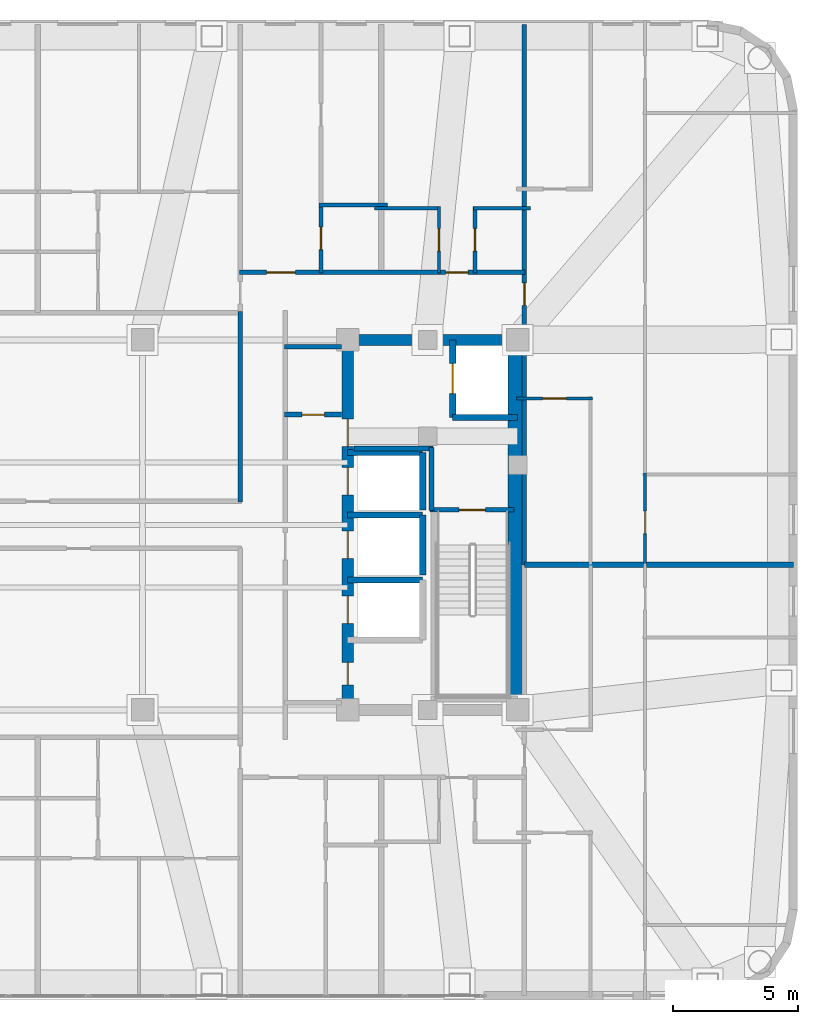
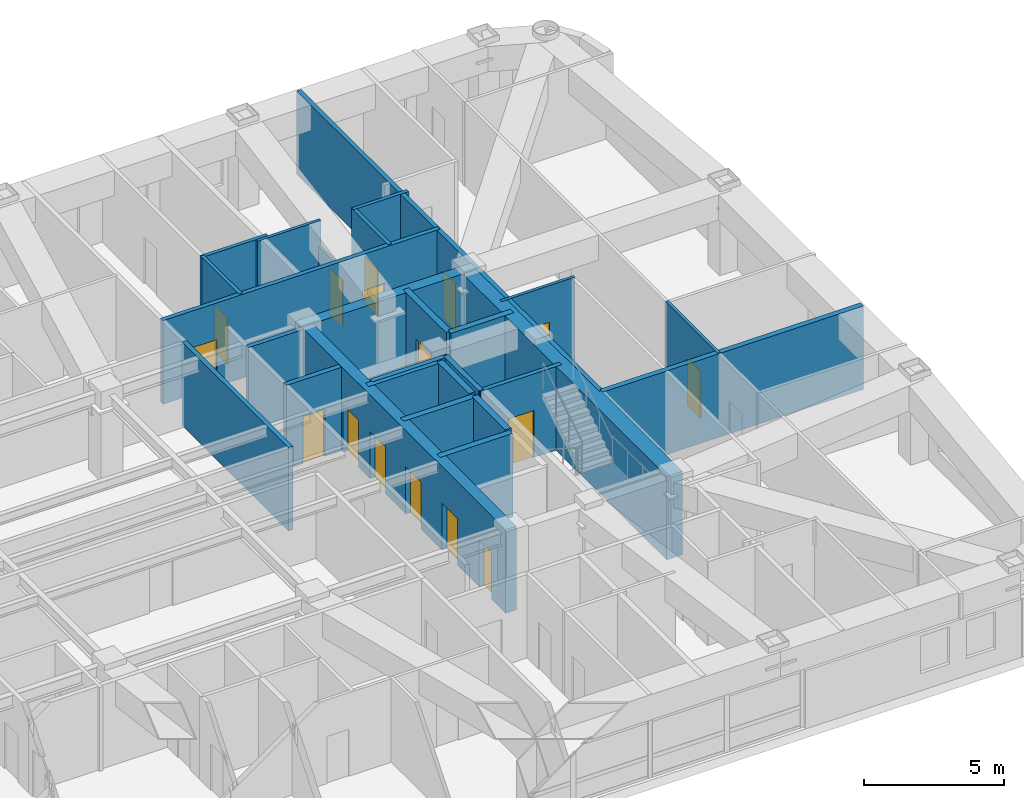
# One storey, part 12 of 16: 27 walls, 16 doors, 16 openings.
"""IFC4 building model written with IfcOpenShell, lengths in metres."""

import ifcopenshell
import ifcopenshell.guid

model = None  # the IFC model being written
_history = None  # IfcOwnerHistory: only IFC2X3 demands one
_inside = {}  # id of a spatial element -> (the spatial element, [elements in it])
_under = {}  # id of a project, library or spatial element -> (it, [spatial elements below it])
_declared = {}  # id of a project -> (the project, [libraries it declares])
_typed = {}  # id of a type object -> (the type object, [elements of that type])
_made_of = {}  # id of a material, layer set ... -> (it, [elements and type objects made of it])


def new_model(schema):
    """Start an empty IFC model of exactly this schema.

    Asked for "IFC4X3", IfcOpenShell would pick the latest addendum, in which some entities
    have other attributes; the version numbers below select the first issue.
    IFC2X3 requires an IfcOwnerHistory on every rooted entity: one is made here for all.
    """
    global model, _history
    if schema == "IFC4X3":
        model = ifcopenshell.file(schema_version=(4, 3, 0, 0))
    else:
        model = ifcopenshell.file(schema=schema)
    _inside.clear()
    _under.clear()
    _declared.clear()
    _typed.clear()
    _made_of.clear()
    _history = None
    if model.schema == "IFC2X3":
        org = make("IfcOrganization", Name="unknown")
        user = make(
            "IfcPersonAndOrganization",
            ThePerson=make("IfcPerson", FamilyName="unknown"),
            TheOrganization=org,
        )
        app = make(
            "IfcApplication",
            ApplicationDeveloper=org,
            Version="unknown",
            ApplicationFullName="unknown",
            ApplicationIdentifier="unknown",
        )
        _history = make(
            "IfcOwnerHistory",
            OwningUser=user,
            OwningApplication=app,
            ChangeAction="ADDED",
            CreationDate=0,
        )
    return model


def make(cls, **values):
    """One entity of the class cls with the attributes given. An attribute that is None is left unset."""
    return model.create_entity(
        cls, **{name: value for name, value in values.items() if value is not None}
    )


def rooted(cls, **values):
    """An entity with a GlobalId (a new one), such as an element, a storey or a relation."""
    return make(cls, GlobalId=ifcopenshell.guid.new(), OwnerHistory=_history, **values)


def si_unit(unit_type, name, prefix=None):
    """IfcSIUnit, for example si_unit("LENGTHUNIT", "METRE", prefix="MILLI")."""
    return make("IfcSIUnit", UnitType=unit_type, Prefix=prefix, Name=name)


def assignment(units):
    """IfcUnitAssignment: the units of a project."""
    return None if units is None else make("IfcUnitAssignment", Units=units)


def point(xyz):
    """IfcCartesianPoint."""
    return None if xyz is None else make("IfcCartesianPoint", Coordinates=xyz)


def direction(xyz):
    """IfcDirection."""
    return None if xyz is None else make("IfcDirection", DirectionRatios=xyz)


def frame(location, z_axis=None, x_axis=None):
    """IfcAxis2Placement3D, a coordinate frame: its origin and axes. An axis left out is left unset."""
    return make(
        "IfcAxis2Placement3D",
        Location=point(location),
        Axis=direction(z_axis),
        RefDirection=direction(x_axis),
    )


def frame_2d(location, x_axis=None):
    """IfcAxis2Placement2D, a coordinate frame in the plane: its origin and x axis."""
    return make(
        "IfcAxis2Placement2D", Location=point(location), RefDirection=direction(x_axis)
    )


def origin():
    """The frame at (0, 0, 0) with its axes left unset."""
    return frame((0.0, 0.0, 0.0))


def place(relative_to, where):
    """IfcLocalPlacement: puts the frame where relative to a parent placement (None: the world)."""
    return make(
        "IfcLocalPlacement", PlacementRelTo=relative_to, RelativePlacement=where
    )


def context(
    kind, dimensions, precision=None, world=None, true_north=None, identifier=None
):
    """IfcGeometricRepresentationContext, for example the 3D "Model" context."""
    return make(
        "IfcGeometricRepresentationContext",
        ContextIdentifier=identifier,
        ContextType=kind,
        CoordinateSpaceDimension=dimensions,
        Precision=precision,
        WorldCoordinateSystem=world,
        TrueNorth=true_north,
    )


def subcontext(parent, identifier, kind, view, scale=None):
    """IfcGeometricRepresentationSubContext, for example "Body" below "Model"."""
    return make(
        "IfcGeometricRepresentationSubContext",
        ContextIdentifier=identifier,
        ContextType=kind,
        ParentContext=parent,
        TargetScale=scale,
        TargetView=view,
    )


def project(units=None, contexts=None):
    """IfcProject with its units and contexts."""
    return rooted(
        "IfcProject",
        Name="project",
        RepresentationContexts=contexts,
        UnitsInContext=assignment(units),
    )


def spatial(cls, under=None, at=None, **own):
    """A site, building, storey or space (cls), placed at a placement, below another one or the project."""
    s = rooted(cls, ObjectPlacement=at, **own)
    if under is not None:
        _under.setdefault(under.id(), (under, []))[1].append(s)
    return s


def profile(cls, at=None, kind="AREA", **sizes):
    """A parametric profile (cls). Its sizes go by their IFC names, for example OverallWidth=200.0."""
    return make(cls, ProfileType=kind, Position=at, **sizes)


def rectangle(**sizes):
    """IfcRectangleProfileDef."""
    return profile("IfcRectangleProfileDef", **sizes)


def extrude(swept, where, along, depth):
    """IfcExtrudedAreaSolid: the profile swept, set in the frame where, extruded along a direction by depth."""
    return make(
        "IfcExtrudedAreaSolid",
        SweptArea=swept,
        Position=where,
        ExtrudedDirection=direction(along),
        Depth=depth,
    )


def shape(context_of_items, identifier, shape_type, items):
    """IfcShapeRepresentation: the items that make up one representation, for example the "Body"."""
    return make(
        "IfcShapeRepresentation",
        ContextOfItems=context_of_items,
        RepresentationIdentifier=identifier,
        RepresentationType=shape_type,
        Items=items,
    )


def material(Name=None, Category=None):
    """IfcMaterial."""
    return make("IfcMaterial", Name=Name, Category=Category)


def layer(
    of_material, thickness, ventilated=None, Name=None, Category=None, Priority=None
):
    """IfcMaterialLayer: one layer of a wall or slab, of a material (None: an air gap)."""
    return make(
        "IfcMaterialLayer",
        Material=of_material,
        LayerThickness=thickness,
        IsVentilated=ventilated,
        Name=Name,
        Category=Category,
        Priority=Priority,
    )


def layer_set(layers, Name=None):
    """IfcMaterialLayerSet."""
    return make("IfcMaterialLayerSet", MaterialLayers=layers, LayerSetName=Name)


def made_of(thing, what):
    """Note that an element or type object is made of a material, layer set ...; save() writes the relation."""
    if what is not None:
        _made_of.setdefault(what.id(), (what, []))[1].append(thing)
    return thing


def type_object(cls, material=None, **own):
    """A type object (cls), such as IfcWallType, which elements share."""
    return made_of(rooted(cls, **own), material)


def element(
    cls,
    number,
    at=None,
    inside=None,
    cuts=None,
    type_object=None,
    material=None,
    context=None,
    identifier="Body",
    shape_type=None,
    held_by="IfcProductDefinitionShape",
    body=None,
    shapes=None,
    **own,
):
    """One element of the class cls, such as IfcWall. Its Tag is "e" and its number.

    at: its placement. inside: the storey or other place that contains it. cuts: it is an
    opening in that element (IfcRelVoidsElement). A single representation is given by context,
    identifier, shape_type and body (its items); several are given by shapes. held_by: the class
    of the entity that holds the representations. save() writes the other relations.
    """
    e = rooted(cls, Tag="e%d" % number, ObjectPlacement=at, **own)
    if body is not None:
        shapes = [shape(context, identifier, shape_type, body)]
    if shapes is not None:
        e.Representation = make(held_by, Representations=shapes)
    if inside is not None:
        _inside.setdefault(inside.id(), (inside, []))[1].append(e)
    if cuts is not None:
        rooted(
            "IfcRelVoidsElement", RelatingBuildingElement=cuts, RelatedOpeningElement=e
        )
    if type_object is not None:
        _typed.setdefault(type_object.id(), (type_object, []))[1].append(e)
    return made_of(e, material)


def fill(opening, filler):
    """IfcRelFillsElement: the door or window that sits in an opening."""
    return rooted(
        "IfcRelFillsElement",
        RelatingOpeningElement=opening,
        RelatedBuildingElement=filler,
    )


def aggregate(whole, parts):
    """IfcRelAggregates: a whole, such as a stair, and the parts it consists of."""
    return rooted("IfcRelAggregates", RelatingObject=whole, RelatedObjects=parts)


def save(model, path):
    """Write the relations noted so far, then the file.

    IfcRelAggregates (storeys below a building ...), IfcRelContainedInSpatialStructure (elements
    in a storey), IfcRelDefinesByType, IfcRelAssociatesMaterial and IfcRelDeclares: one each for
    every whole, place, type object, material and project.
    """
    for whole, parts in _under.values():
        aggregate(whole, parts)
    for where, things in _inside.values():
        rooted(
            "IfcRelContainedInSpatialStructure",
            RelatedElements=things,
            RelatingStructure=where,
        )
    for kind, things in _typed.values():
        rooted("IfcRelDefinesByType", RelatedObjects=things, RelatingType=kind)
    for what, things in _made_of.values():
        rooted("IfcRelAssociatesMaterial", RelatedObjects=things, RelatingMaterial=what)
    for by, libraries in _declared.values():
        rooted("IfcRelDeclares", RelatingContext=by, RelatedDefinitions=libraries)
    model.write(path)


model = new_model("IFC4")

# Units and contexts
model_context = context("Model", 3, precision=1e-05, world=origin(), true_north=direction((0.0, 1.0)))
body_context = subcontext(model_context, "Body", "Model", "MODEL_VIEW")
ifc_project = project(units=[si_unit("LENGTHUNIT", "METRE"), si_unit("AREAUNIT", "SQUARE_METRE"), si_unit("VOLUMEUNIT", "CUBIC_METRE"), si_unit("PLANEANGLEUNIT", "RADIAN"), si_unit("MASSUNIT", "GRAM", prefix="KILO")], contexts=[model_context])

# Site, building, storey
site_placement = place(None, origin())
site = spatial("IfcSite", under=ifc_project, at=site_placement, CompositionType="ELEMENT")
building_placement = place(site_placement, origin())
building = spatial("IfcBuilding", under=site, at=building_placement, Name="Voryun Gate Residences", CompositionType="ELEMENT")
storey_placement = place(building_placement, frame((0.0, 0.0, 200.199951171875)))
storey = spatial("IfcBuildingStorey", under=building, at=storey_placement, Name="L49", CompositionType="ELEMENT", Elevation=200.199951171875)

# Wall
ifc_material_1 = material(Name="Concrete C50/60", Category="concrete")
ifc_layer_1 = layer(ifc_material_1, 0.449951171875, Name="CW_CORE_450")
ifc_layer_set_1 = layer_set([ifc_layer_1], Name="Concrete C50/60")
wall_type_1 = type_object("IfcWallType", Name="CW_CORE_450", PredefinedType="SHEAR", material=ifc_layer_set_1)
wall_1_placement = place(storey_placement, frame((12.175048828125, 7.39990234375, 0.0), z_axis=(0.0, 0.0, 1.0), x_axis=(1.0, 0.0, 0.0)))
element("IfcWall", 1, at=wall_1_placement, inside=storey, type_object=wall_type_1, Name="L49 Core shear wall CW-L49-EN", PredefinedType="SHEAR", context=body_context, shape_type="SweptSolid", body=[
    extrude(rectangle(XDim=7.25, YDim=0.449951171875, at=frame_2d((3.625, 0.0))), origin(), (0.0, 0.0, 1.0), 3.650146484375),
])

# Wall, openings, doors
wall_2_placement = place(storey_placement, frame((12.39990234375, -7.39990234375, 0.0), z_axis=(0.0, 0.0, 1.0), x_axis=(0.0, 1.0, 0.0)))
wall_2 = element("IfcWall", 2, at=wall_2_placement, inside=storey, type_object=wall_type_1, Name="L49 Core shear wall CW-L49-EW", PredefinedType="SHEAR", context=body_context, shape_type="SweptSolid", body=[
    extrude(rectangle(XDim=14.7998046875, YDim=0.449951171875, at=frame_2d((7.39990234375, 0.0))), origin(), (0.0, 0.0, 1.0), 3.650146484375),
])
opening_1_placement = place(wall_2_placement, frame((3.449951171875, 0.0, 0.0)))
opening_1 = element("IfcOpeningElement", 3, at=opening_1_placement, cuts=wall_2, Name="Opening LD2", PredefinedType="OPENING", context=body_context, shape_type="SweptSolid", body=[
    extrude(rectangle(XDim=1.10009765625, YDim=2.050048828125, at=frame_2d((0.550048828125, 1.02490234375))), frame((0.0, 0.235107421875, 0.0), z_axis=(0.0, -1.0, 0.0), x_axis=(1.0, 0.0, 0.0)), (0.0, 0.0, 1.0), 0.469970703125),
])
opening_2_placement = place(wall_2_placement, frame((6.050048828125, 0.0, 0.0)))
opening_2 = element("IfcOpeningElement", 4, at=opening_2_placement, cuts=wall_2, Name="Opening LD2", PredefinedType="OPENING", context=body_context, shape_type="SweptSolid", body=[
    extrude(rectangle(XDim=1.10009765625, YDim=2.050048828125, at=frame_2d((0.550048828125, 1.02490234375))), frame((0.0, 0.235107421875, 0.0), z_axis=(0.0, -1.0, 0.0), x_axis=(1.0, 0.0, 0.0)), (0.0, 0.0, 1.0), 0.469970703125),
])
opening_3_placement = place(wall_2_placement, frame((8.60009765625, 0.0, 0.0)))
opening_3 = element("IfcOpeningElement", 5, at=opening_3_placement, cuts=wall_2, Name="Opening LD2", PredefinedType="OPENING", context=body_context, shape_type="SweptSolid", body=[
    extrude(rectangle(XDim=1.10009765625, YDim=2.050048828125, at=frame_2d((0.550048828125, 1.02490234375))), frame((0.0, 0.235107421875, 0.0), z_axis=(0.0, -1.0, 0.0), x_axis=(1.0, 0.0, 0.0)), (0.0, 0.0, 1.0), 0.469970703125),
])
opening_4_placement = place(wall_2_placement, frame((10.530029296875, 0.0, 0.0)))
opening_4 = element("IfcOpeningElement", 6, at=opening_4_placement, cuts=wall_2, Name="Opening D-FD60-2", PredefinedType="OPENING", context=body_context, shape_type="SweptSolid", body=[
    extrude(rectangle(XDim=1.10009765625, YDim=2.050048828125, at=frame_2d((0.550048828125, 1.02490234375))), frame((0.0, 0.235107421875, 0.0), z_axis=(0.0, -1.0, 0.0), x_axis=(1.0, 0.0, 0.0)), (0.0, 0.0, 1.0), 0.469970703125),
])
opening_5_placement = place(wall_2_placement, frame((1.0, 0.0, 0.0)))
opening_5 = element("IfcOpeningElement", 7, at=opening_5_placement, cuts=wall_2, Name="Opening D-FD60-4", PredefinedType="OPENING", context=body_context, shape_type="SweptSolid", body=[
    extrude(rectangle(XDim=0.89990234375, YDim=2.050048828125, at=frame_2d((0.449951171875, 1.02490234375))), frame((0.0, 0.235107421875, 0.0), z_axis=(0.0, -1.0, 0.0), x_axis=(1.0, 0.0, 0.0)), (0.0, 0.0, 1.0), 0.469970703125),
])
ifc_material_2 = material(Name="Painted steel fire door", Category="steel")
door_type_1 = type_object("IfcDoorType", Name="DR_FD60_FFLOB_1100", OperationType="NOTDEFINED", PredefinedType="DOOR", material=ifc_material_2)
door_1_placement = place(opening_4_placement, origin())
door_1 = element("IfcDoor", 8, at=door_1_placement, inside=storey, type_object=door_type_1, Name="Door DR-L49-CLOB-E", OperationType="SINGLE_SWING_RIGHT", OverallHeight=2.050048828125, OverallWidth=1.10009765625, PredefinedType="DOOR", context=body_context, shape_type="SweptSolid", body=[
    extrude(rectangle(XDim=1.10009765625, YDim=2.050048828125, at=frame_2d((0.550048828125, 1.02490234375))), frame((0.0, 0.02490234375, 0.0), z_axis=(0.0, -1.0, 0.0), x_axis=(1.0, 0.0, 0.0)), (0.0, 0.0, 1.0), 0.050048828125),
])
fill(opening_4, door_1)
ifc_material_3 = material(Name="Painted steel fire door", Category="steel")
door_type_2 = type_object("IfcDoorType", Name="DR_FD60_RISER_900", OperationType="NOTDEFINED", PredefinedType="DOOR", material=ifc_material_3)
door_2_placement = place(opening_5_placement, origin())
door_2 = element("IfcDoor", 9, at=door_2_placement, inside=storey, type_object=door_type_2, Name="Door DR-L49-RECE1", OperationType="SINGLE_SWING_RIGHT", OverallHeight=2.050048828125, OverallWidth=0.89990234375, PredefinedType="DOOR", context=body_context, shape_type="SweptSolid", body=[
    extrude(rectangle(XDim=0.89990234375, YDim=2.050048828125, at=frame_2d((0.449951171875, 1.02490234375))), frame((0.0, 0.02490234375, 0.0), z_axis=(0.0, -1.0, 0.0), x_axis=(1.0, 0.0, 0.0)), (0.0, 0.0, 1.0), 0.050048828125),
])
fill(opening_5, door_2)
ifc_material_4 = material(Name="Anodised aluminium", Category="aluminium")
door_type_3 = type_object("IfcDoorType", Name="DR_LD_PASS_1100", OperationType="NOTDEFINED", PredefinedType="DOOR", material=ifc_material_4)
door_3_placement = place(opening_1_placement, origin())
door_3 = element("IfcDoor", 10, at=door_3_placement, inside=storey, type_object=door_type_3, Name="Lift EL-P5 sliding landing door L49", OperationType="SLIDING_TO_LEFT", OverallHeight=2.050048828125, OverallWidth=1.10009765625, PredefinedType="DOOR", context=body_context, shape_type="SweptSolid", body=[
    extrude(rectangle(XDim=1.10009765625, YDim=2.050048828125, at=frame_2d((0.550048828125, 1.02490234375))), frame((0.0, 0.02490234375, 0.0), z_axis=(0.0, -1.0, 0.0), x_axis=(1.0, 0.0, 0.0)), (0.0, 0.0, 1.0), 0.050048828125),
])
fill(opening_1, door_3)
door_4_placement = place(opening_2_placement, origin())
door_4 = element("IfcDoor", 11, at=door_4_placement, inside=storey, type_object=door_type_3, Name="Lift EL-P6 sliding landing door L49", OperationType="SLIDING_TO_LEFT", OverallHeight=2.050048828125, OverallWidth=1.10009765625, PredefinedType="DOOR", context=body_context, shape_type="SweptSolid", body=[
    extrude(rectangle(XDim=1.10009765625, YDim=2.050048828125, at=frame_2d((0.550048828125, 1.02490234375))), frame((0.0, 0.02490234375, 0.0), z_axis=(0.0, -1.0, 0.0), x_axis=(1.0, 0.0, 0.0)), (0.0, 0.0, 1.0), 0.050048828125),
])
fill(opening_2, door_4)
door_5_placement = place(opening_3_placement, origin())
door_5 = element("IfcDoor", 12, at=door_5_placement, inside=storey, type_object=door_type_3, Name="Lift EL-P8 sliding landing door L49", OperationType="SLIDING_TO_LEFT", OverallHeight=2.050048828125, OverallWidth=1.10009765625, PredefinedType="DOOR", context=body_context, shape_type="SweptSolid", body=[
    extrude(rectangle(XDim=1.10009765625, YDim=2.050048828125, at=frame_2d((0.550048828125, 1.02490234375))), frame((0.0, 0.02490234375, 0.0), z_axis=(0.0, -1.0, 0.0), x_axis=(1.0, 0.0, 0.0)), (0.0, 0.0, 1.0), 0.050048828125),
])
fill(opening_3, door_5)

# Wall
ifc_material_5 = material(Name="Concrete C60/75", Category="concrete")
ifc_layer_2 = layer(ifc_material_5, 0.64990234375, Name="CW_CORE_650")
ifc_layer_set_2 = layer_set([ifc_layer_2], Name="Concrete C60/75")
wall_type_2 = type_object("IfcWallType", Name="CW_CORE_650", PredefinedType="SHEAR", material=ifc_layer_set_2)
wall_3_placement = place(storey_placement, frame((19.14501953125, -7.39990234375, 0.0), z_axis=(0.0, 0.0, 1.0), x_axis=(0.0, 1.0, 0.0)))
element("IfcWall", 13, at=wall_3_placement, inside=storey, type_object=wall_type_2, Name="L49 Core shear wall CW-L49-EE", PredefinedType="SHEAR", context=body_context, shape_type="SweptSolid", body=[
    extrude(rectangle(XDim=14.7998046875, YDim=0.64990234375, at=frame_2d((7.39990234375, 0.0))), origin(), (0.0, 0.0, 1.0), 3.650146484375),
])

# Wall, opening, door
ifc_material_6 = material(Name="Gypsum acoustic fireboard")
ifc_layer_3 = layer(ifc_material_6, 0.179931640625, Name="W_CORR_RATED_180")
ifc_layer_set_3 = layer_set([ifc_layer_3], Name="Gypsum acoustic fireboard")
wall_type_3 = type_object("IfcWallType", Name="W_CORR_RATED_180", PredefinedType="PARTITIONING", material=ifc_layer_set_3)
wall_4_placement = place(storey_placement, frame((15.699951171875, 0.60009765625, 0.0), z_axis=(0.0, 0.0, 1.0), x_axis=(1.0, 0.0, 0.0)))
wall_4 = element("IfcWall", 14, at=wall_4_placement, inside=storey, type_object=wall_type_3, Name="Partition wall WP-L49-STV-E", PredefinedType="PARTITIONING", context=body_context, shape_type="SweptSolid", body=[
    extrude(rectangle(XDim=3.360107421875, YDim=0.179931640625, at=frame_2d((1.68017578125, 0.0))), origin(), (0.0, 0.0, 1.0), 3.650146484375),
])
opening_6_placement = place(wall_4_placement, frame((1.155029296875, 0.0, 0.0)))
opening_6 = element("IfcOpeningElement", 15, at=opening_6_placement, cuts=wall_4, Name="Opening D-FD60-1", PredefinedType="OPENING", context=body_context, shape_type="SweptSolid", body=[
    extrude(rectangle(XDim=1.050048828125, YDim=2.050048828125, at=frame_2d((0.52490234375, 1.02490234375))), frame((0.0, 0.099853515625, 0.0), z_axis=(0.0, -1.0, 0.0), x_axis=(1.0, 0.0, 0.0)), (0.0, 0.0, 1.0), 0.199951171875),
])
ifc_material_7 = material(Name="Painted steel fire door", Category="steel")
door_type_4 = type_object("IfcDoorType", Name="DR_FD60_STAIR_1050", OperationType="NOTDEFINED", PredefinedType="DOOR", material=ifc_material_7)
door_6_placement = place(opening_6_placement, origin())
door_6 = element("IfcDoor", 16, at=door_6_placement, inside=storey, type_object=door_type_4, Name="Door DR-L49-ST-E", OperationType="SINGLE_SWING_RIGHT", OverallHeight=2.050048828125, OverallWidth=1.050048828125, PredefinedType="DOOR", context=body_context, shape_type="SweptSolid", body=[
    extrude(rectangle(XDim=1.050048828125, YDim=2.050048828125, at=frame_2d((0.52490234375, 1.02490234375))), frame((0.0, 0.02490234375, 0.0), z_axis=(0.0, -1.0, 0.0), x_axis=(1.0, 0.0, 0.0)), (0.0, 0.0, 1.0), 0.050048828125),
])
fill(opening_6, door_6)

# Walls
wall_5_placement = place(storey_placement, frame((9.8798828125, 7.1201171875, 0.0), z_axis=(0.0, 0.0, 1.0), x_axis=(1.0, 0.0, 0.0)))
element("IfcWall", 17, at=wall_5_placement, inside=storey, type_object=wall_type_3, Name="Partition wall WP-L49-PLBN-E", PredefinedType="PARTITIONING", context=body_context, shape_type="SweptSolid", body=[
    extrude(rectangle(XDim=2.27001953125, YDim=0.179931640625, at=frame_2d((1.135009765625, 0.0))), origin(), (0.0, 0.0, 1.0), 3.650146484375),
])
wall_6_placement = place(storey_placement, frame((8.10009765625, 0.919921875, 0.0), z_axis=(0.0, 0.0, 1.0), x_axis=(0.0, 1.0, 0.0)))
element("IfcWall", 18, at=wall_6_placement, inside=storey, type_object=wall_type_3, Name="Partition wall WP-L49-Z2ER1", PredefinedType="PARTITIONING", context=body_context, shape_type="SweptSolid", body=[
    extrude(rectangle(XDim=7.610107421875, YDim=0.179931640625, at=frame_2d((3.80517578125, 0.0))), origin(), (0.0, 0.0, 1.0), 3.650146484375),
])

# Wall, openings, doors
wall_7_placement = place(storey_placement, frame((8.080078125, 10.10009765625, 0.0), z_axis=(0.0, 0.0, 1.0), x_axis=(1.0, 0.0, 0.0)))
wall_7 = element("IfcWall", 19, at=wall_7_placement, inside=storey, type_object=wall_type_3, Name="Partition wall WP-L49-NCORR-E", PredefinedType="PARTITIONING", context=body_context, shape_type="SweptSolid", body=[
    extrude(rectangle(XDim=11.419921875, YDim=0.179931640625, at=frame_2d((5.7099609375, 0.0))), origin(), (0.0, 0.0, 1.0), 3.650146484375),
])
opening_7_placement = place(wall_7_placement, frame((1.080810546875, 0.0, 0.0)))
opening_7 = element("IfcOpeningElement", 20, at=opening_7_placement, cuts=wall_7, Name="Opening D-UNIT-1", PredefinedType="OPENING", context=body_context, shape_type="SweptSolid", body=[
    extrude(rectangle(XDim=1.14990234375, YDim=2.050048828125, at=frame_2d((0.574951171875, 1.02490234375))), frame((0.0, 0.099853515625, 0.0), z_axis=(0.0, -1.0, 0.0), x_axis=(1.0, 0.0, 0.0)), (0.0, 0.0, 1.0), 0.199951171875),
])
opening_8_placement = place(wall_7_placement, frame((8.242919921875, 0.0, 0.0)))
opening_8 = element("IfcOpeningElement", 21, at=opening_8_placement, cuts=wall_7, Name="Opening D-INT-2", PredefinedType="OPENING", context=body_context, shape_type="SweptSolid", body=[
    extrude(rectangle(XDim=0.89990234375, YDim=2.050048828125, at=frame_2d((0.449951171875, 1.02490234375))), frame((0.0, 0.099853515625, 0.0), z_axis=(0.0, -1.0, 0.0), x_axis=(1.0, 0.0, 0.0)), (0.0, 0.0, 1.0), 0.199951171875),
])
ifc_material_8 = material(Name="Architectural oak veneer")
door_type_5 = type_object("IfcDoorType", Name="DR_INT_BATH_900", OperationType="NOTDEFINED", PredefinedType="DOOR", material=ifc_material_8)
door_7_placement = place(opening_8_placement, origin())
door_7 = element("IfcDoor", 22, at=door_7_placement, inside=storey, type_object=door_type_5, Name="Door DR-L49-NENT-5", OperationType="SINGLE_SWING_LEFT", OverallHeight=2.050048828125, OverallWidth=0.89990234375, PredefinedType="DOOR", context=body_context, shape_type="SweptSolid", body=[
    extrude(rectangle(XDim=0.89990234375, YDim=2.050048828125, at=frame_2d((0.449951171875, 1.02490234375))), frame((0.0, 0.02490234375, 0.0), z_axis=(0.0, -1.0, 0.0), x_axis=(1.0, 0.0, 0.0)), (0.0, 0.0, 1.0), 0.050048828125),
])
fill(opening_8, door_7)
ifc_material_9 = material(Name="Armoured timber-clad fire door", Category="wood")
door_type_6 = type_object("IfcDoorType", Name="DR_UNIT_ENTRY_1150", OperationType="NOTDEFINED", PredefinedType="DOOR", material=ifc_material_9)
door_8_placement = place(opening_7_placement, origin())
door_8 = element("IfcDoor", 23, at=door_8_placement, inside=storey, type_object=door_type_6, Name="Door DR-L49-NENT-4", OperationType="SINGLE_SWING_RIGHT", OverallHeight=2.050048828125, OverallWidth=1.14990234375, PredefinedType="DOOR", context=body_context, shape_type="SweptSolid", body=[
    extrude(rectangle(XDim=1.14990234375, YDim=2.050048828125, at=frame_2d((0.574951171875, 1.02490234375))), frame((0.0, 0.02490234375, 0.0), z_axis=(0.0, -1.0, 0.0), x_axis=(1.0, 0.0, 0.0)), (0.0, 0.0, 1.0), 0.050048828125),
])
fill(opening_7, door_8)

# Wall, opening, door
wall_8_placement = place(storey_placement, frame((19.469970703125, -1.60009765625, 0.0), z_axis=(0.0, 0.0, 1.0), x_axis=(0.0, 1.0, 0.0)))
wall_8 = element("IfcWall", 24, at=wall_8_placement, inside=storey, type_object=wall_type_3, Name="Partition wall WP-L49-ECOR2", PredefinedType="PARTITIONING", context=body_context, shape_type="SweptSolid", body=[
    extrude(rectangle(XDim=21.630126953125, YDim=0.179931640625, at=frame_2d((10.81494140625, 0.0))), origin(), (0.0, 0.0, 1.0), 3.650146484375),
])
opening_9_placement = place(wall_8_placement, frame((10.380126953125, 0.0, 0.0)))
opening_9 = element("IfcOpeningElement", 25, at=opening_9_placement, cuts=wall_8, Name="Opening D-INT-2", PredefinedType="OPENING", context=body_context, shape_type="SweptSolid", body=[
    extrude(rectangle(XDim=0.89990234375, YDim=2.050048828125, at=frame_2d((0.449951171875, 1.02490234375))), frame((0.0, 0.099853515625, 0.0), z_axis=(0.0, -1.0, 0.0), x_axis=(1.0, 0.0, 0.0)), (0.0, 0.0, 1.0), 0.199951171875),
])
door_9_placement = place(opening_9_placement, origin())
door_9 = element("IfcDoor", 26, at=door_9_placement, inside=storey, type_object=door_type_5, Name="Door DR-L49-EE2", OperationType="SINGLE_SWING_RIGHT", OverallHeight=2.050048828125, OverallWidth=0.89990234375, PredefinedType="DOOR", context=body_context, shape_type="SweptSolid", body=[
    extrude(rectangle(XDim=0.89990234375, YDim=2.050048828125, at=frame_2d((0.449951171875, 1.02490234375))), frame((0.0, 0.02490234375, 0.0), z_axis=(0.0, -1.0, 0.0), x_axis=(1.0, 0.0, 0.0)), (0.0, 0.0, 1.0), 0.050048828125),
])
fill(opening_9, door_9)

# Walls
ifc_material_10 = material(Name="Concrete C40/50", Category="concrete")
ifc_layer_4 = layer(ifc_material_10, 0.199951171875, Name="W_FF_LOBBY_200")
ifc_layer_set_4 = layer_set([ifc_layer_4], Name="Concrete C40/50")
wall_type_4 = type_object("IfcWallType", Name="W_FF_LOBBY_200", PredefinedType="PARTITIONING", material=ifc_layer_set_4)
wall_9_placement = place(storey_placement, frame((15.760009765625, 0.580078125, 0.0), z_axis=(0.0, 0.0, 1.0), x_axis=(0.0, 1.0, 0.0)))
element("IfcWall", 27, at=wall_9_placement, inside=storey, type_object=wall_type_4, Name="Partition wall WP-L49-FFP0-E", PredefinedType="PARTITIONING", context=body_context, shape_type="SweptSolid", body=[
    extrude(rectangle(XDim=2.52001953125, YDim=0.199951171875, at=frame_2d((1.260009765625, 0.0))), origin(), (0.0, 0.0, 1.0), 3.650146484375),
])
wall_10_placement = place(storey_placement, frame((12.659912109375, 3.06005859375, 0.0), z_axis=(0.0, 0.0, 1.0), x_axis=(1.0, 0.0, 0.0)))
element("IfcWall", 28, at=wall_10_placement, inside=storey, type_object=wall_type_4, Name="Partition wall WP-L49-FFPS-E", PredefinedType="PARTITIONING", context=body_context, shape_type="SweptSolid", body=[
    extrude(rectangle(XDim=3.16015625, YDim=0.199951171875, at=frame_2d((1.580078125, 0.0))), origin(), (0.0, 0.0, 1.0), 3.650146484375),
])

# Wall, opening, door
wall_11_placement = place(storey_placement, frame((9.8798828125, 4.409912109375, 0.0), z_axis=(0.0, 0.0, 1.0), x_axis=(1.0, 0.0, 0.0)))
wall_11 = element("IfcWall", 29, at=wall_11_placement, inside=storey, type_object=wall_type_4, Name="Partition wall WP-L49-CSFLKS-E", PredefinedType="PARTITIONING", context=body_context, shape_type="SweptSolid", body=[
    extrude(rectangle(XDim=2.27001953125, YDim=0.199951171875, at=frame_2d((1.135009765625, 0.0))), origin(), (0.0, 0.0, 1.0), 3.650146484375),
])
opening_10_placement = place(wall_11_placement, frame((0.68505859375, 0.0, 0.0)))
opening_10 = element("IfcOpeningElement", 30, at=opening_10_placement, cuts=wall_11, Name="Opening D-FD60-4", PredefinedType="OPENING", context=body_context, shape_type="SweptSolid", body=[
    extrude(rectangle(XDim=0.89990234375, YDim=2.050048828125, at=frame_2d((0.449951171875, 1.02490234375))), frame((0.0, 0.110107421875, 0.0), z_axis=(0.0, -1.0, 0.0), x_axis=(1.0, 0.0, 0.0)), (0.0, 0.0, 1.0), 0.219970703125),
])
door_10_placement = place(opening_10_placement, origin())
door_10 = element("IfcDoor", 31, at=door_10_placement, inside=storey, type_object=door_type_2, Name="Door DR-L49-CSFLK-E", OperationType="SINGLE_SWING_RIGHT", OverallHeight=2.050048828125, OverallWidth=0.89990234375, PredefinedType="DOOR", context=body_context, shape_type="SweptSolid", body=[
    extrude(rectangle(XDim=0.89990234375, YDim=2.050048828125, at=frame_2d((0.449951171875, 1.02490234375))), frame((0.0, 0.02490234375, 0.0), z_axis=(0.0, -1.0, 0.0), x_axis=(1.0, 0.0, 0.0)), (0.0, 0.0, 1.0), 0.050048828125),
])
fill(opening_10, door_10)

# Walls
ifc_material_11 = material(Name="Concrete C40/50", Category="concrete")
ifc_layer_5 = layer(ifc_material_11, 0.219970703125, Name="W_PARTY_ACOUSTIC_220")
ifc_layer_set_5 = layer_set([ifc_layer_5], Name="Concrete C40/50")
wall_type_5 = type_object("IfcWallType", Name="W_PARTY_ACOUSTIC_220", PredefinedType="PARTITIONING", material=ifc_layer_set_5)
wall_12_placement = place(storey_placement, frame((19.469970703125, -1.60009765625, 0.0), z_axis=(0.0, 0.0, 1.0), x_axis=(1.0, 0.0, 0.0)))
element("IfcWall", 32, at=wall_12_placement, inside=storey, type_object=wall_type_5, Name="Partition wall WP-L49-EPTY", PredefinedType="PARTITIONING", context=body_context, shape_type="SweptSolid", body=[
    extrude(rectangle(XDim=10.760009765625, YDim=0.219970703125, at=frame_2d((5.3798828125, 0.0))), origin(), (0.0, 0.0, 1.0), 3.650146484375),
])
ifc_material_12 = material(Name="Concrete C50/60", Category="concrete")
ifc_layer_6 = layer(ifc_material_12, 0.25, Name="W_SHAFT_RC250")
ifc_layer_set_6 = layer_set([ifc_layer_6], Name="Concrete C50/60")
wall_type_6 = type_object("IfcWallType", Name="W_SHAFT_RC250", PredefinedType="SOLIDWALL", material=ifc_layer_set_6)
wall_13_placement = place(storey_placement, frame((16.60009765625, 4.300048828125, 0.0), z_axis=(0.0, 0.0, 1.0), x_axis=(1.0, 0.0, 0.0)))
element("IfcWall", 33, at=wall_13_placement, inside=storey, type_object=wall_type_6, Name="Lift shaft wall WSH-L49-EL-FF-E1-S", PredefinedType="SOLIDWALL", context=body_context, shape_type="SweptSolid", body=[
    extrude(rectangle(XDim=2.599853515625, YDim=0.25, at=frame_2d((1.2998046875, 0.0))), origin(), (0.0, 0.0, 1.0), 3.650146484375),
])

# Wall, opening, door
wall_14_placement = place(storey_placement, frame((16.60009765625, 7.39990234375, 0.0), z_axis=(0.0, 0.0, 1.0), x_axis=(0.0, -1.0, 0.0)))
wall_14 = element("IfcWall", 34, at=wall_14_placement, inside=storey, type_object=wall_type_6, Name="Lift shaft wall WSH-L49-EL-FF-E1-W", PredefinedType="SOLIDWALL", context=body_context, shape_type="SweptSolid", body=[
    extrude(rectangle(XDim=3.099853515625, YDim=0.25, at=frame_2d((1.5498046875, 0.0))), origin(), (0.0, 0.0, 1.0), 3.650146484375),
])
opening_11_placement = place(wall_14_placement, frame((0.949951171875, 0.0, 0.0)))
opening_11 = element("IfcOpeningElement", 35, at=opening_11_placement, cuts=wall_14, Name="Opening LD1", PredefinedType="OPENING", context=body_context, shape_type="SweptSolid", body=[
    extrude(rectangle(XDim=1.199951171875, YDim=2.050048828125, at=frame_2d((0.60009765625, 1.02490234375))), frame((0.0, 0.135009765625, 0.0), z_axis=(0.0, -1.0, 0.0), x_axis=(1.0, 0.0, 0.0)), (0.0, 0.0, 1.0), 0.27001953125),
])
ifc_material_13 = material(Name="Anodised aluminium", Category="aluminium")
door_type_7 = type_object("IfcDoorType", Name="DR_LD_FF_1200", OperationType="NOTDEFINED", PredefinedType="DOOR", material=ifc_material_13)
door_11_placement = place(opening_11_placement, origin())
door_11 = element("IfcDoor", 36, at=door_11_placement, inside=storey, type_object=door_type_7, Name="Lift EL-FF-E1 sliding landing door L49", OperationType="SLIDING_TO_LEFT", OverallHeight=2.050048828125, OverallWidth=1.199951171875, PredefinedType="DOOR", context=body_context, shape_type="SweptSolid", body=[
    extrude(rectangle(XDim=1.199951171875, YDim=2.050048828125, at=frame_2d((0.60009765625, 1.02490234375))), frame((0.0, 0.02490234375, 0.0), z_axis=(0.0, -1.0, 0.0), x_axis=(1.0, 0.0, 0.0)), (0.0, 0.0, 1.0), 0.050048828125),
])
fill(opening_11, door_11)

# Walls
wall_15_placement = place(storey_placement, frame((15.39990234375, -2.199951171875, 0.0), z_axis=(0.0, 0.0, 1.0), x_axis=(-1.0, 0.0, 0.0)))
element("IfcWall", 37, at=wall_15_placement, inside=storey, type_object=wall_type_6, Name="Lift shaft wall WSH-L49-EL-P5-N", PredefinedType="SOLIDWALL", context=body_context, shape_type="SweptSolid", body=[
    extrude(rectangle(XDim=3.0, YDim=0.25, at=frame_2d((1.5, 0.0))), origin(), (0.0, 0.0, 1.0), 3.650146484375),
])
wall_16_placement = place(storey_placement, frame((15.39990234375, -2.0, 0.0), z_axis=(0.0, 0.0, 1.0), x_axis=(0.0, 1.0, 0.0)))
element("IfcWall", 38, at=wall_16_placement, inside=storey, type_object=wall_type_6, Name="Lift shaft wall WSH-L49-EL-P6-E", PredefinedType="SOLIDWALL", context=body_context, shape_type="SweptSolid", body=[
    extrude(rectangle(XDim=2.39990234375, YDim=0.25, at=frame_2d((1.199951171875, 0.0))), origin(), (0.0, 0.0, 1.0), 3.650146484375),
])
wall_17_placement = place(storey_placement, frame((15.39990234375, 0.39990234375, 0.0), z_axis=(0.0, 0.0, 1.0), x_axis=(-1.0, 0.0, 0.0)))
element("IfcWall", 39, at=wall_17_placement, inside=storey, type_object=wall_type_6, Name="Lift shaft wall WSH-L49-EL-P6-N", PredefinedType="SOLIDWALL", context=body_context, shape_type="SweptSolid", body=[
    extrude(rectangle(XDim=3.0, YDim=0.25, at=frame_2d((1.5, 0.0))), origin(), (0.0, 0.0, 1.0), 3.650146484375),
])
wall_18_placement = place(storey_placement, frame((15.39990234375, 0.60009765625, 0.0), z_axis=(0.0, 0.0, 1.0), x_axis=(0.0, 1.0, 0.0)))
element("IfcWall", 40, at=wall_18_placement, inside=storey, type_object=wall_type_6, Name="Lift shaft wall WSH-L49-EL-P8-E", PredefinedType="SOLIDWALL", context=body_context, shape_type="SweptSolid", body=[
    extrude(rectangle(XDim=2.2998046875, YDim=0.25, at=frame_2d((1.14990234375, 0.0))), origin(), (0.0, 0.0, 1.0), 3.650146484375),
])
wall_19_placement = place(storey_placement, frame((15.39990234375, 2.89990234375, 0.0), z_axis=(0.0, 0.0, 1.0), x_axis=(-1.0, 0.0, 0.0)))
element("IfcWall", 41, at=wall_19_placement, inside=storey, type_object=wall_type_6, Name="Lift shaft wall WSH-L49-EL-P8-N", PredefinedType="SOLIDWALL", context=body_context, shape_type="SweptSolid", body=[
    extrude(rectangle(XDim=3.0, YDim=0.25, at=frame_2d((1.5, 0.0))), origin(), (0.0, 0.0, 1.0), 3.650146484375),
])

# Wall, opening, door
ifc_material_14 = material(Name="Gypsum acoustic partition")
ifc_layer_7 = layer(ifc_material_14, 0.125, Name="W_UNIT_PART_125")
ifc_layer_set_7 = layer_set([ifc_layer_7], Name="Gypsum acoustic partition")
wall_type_7 = type_object("IfcWallType", Name="W_UNIT_PART_125", PredefinedType="PARTITIONING", material=ifc_layer_set_7)
wall_20_placement = place(storey_placement, frame((16.050048828125, 10.080078125, 0.0), z_axis=(0.0, 0.0, 1.0), x_axis=(0.0, 1.0, 0.0)))
wall_20 = element("IfcWall", 42, at=wall_20_placement, inside=storey, type_object=wall_type_7, Name="Partition wall WP-L49-N5-CVK", PredefinedType="PARTITIONING", context=body_context, shape_type="SweptSolid", body=[
    extrude(rectangle(XDim=2.64990234375, YDim=0.125, at=frame_2d((1.324951171875, 0.0))), origin(), (0.0, 0.0, 1.0), 2.5400390625),
])
opening_12_placement = place(wall_20_placement, frame((0.875, 0.0, 0.0)))
opening_12 = element("IfcOpeningElement", 43, at=opening_12_placement, cuts=wall_20, Name="Opening D-INT-2", PredefinedType="OPENING", context=body_context, shape_type="SweptSolid", body=[
    extrude(rectangle(XDim=0.89990234375, YDim=2.050048828125, at=frame_2d((0.449951171875, 1.02490234375))), frame((0.0, 0.072509765625, 0.0), z_axis=(0.0, -1.0, 0.0), x_axis=(1.0, 0.0, 0.0)), (0.0, 0.0, 1.0), 0.14501953125),
])
door_12_placement = place(opening_12_placement, origin())
door_12 = element("IfcDoor", 44, at=door_12_placement, inside=storey, type_object=door_type_5, Name="Door DR-L49-N5-DK", OperationType="SINGLE_SWING_LEFT", OverallHeight=2.050048828125, OverallWidth=0.89990234375, PredefinedType="DOOR", context=body_context, shape_type="SweptSolid", body=[
    extrude(rectangle(XDim=0.89990234375, YDim=2.050048828125, at=frame_2d((0.449951171875, 1.02490234375))), frame((0.0, 0.02490234375, 0.0), z_axis=(0.0, -1.0, 0.0), x_axis=(1.0, 0.0, 0.0)), (0.0, 0.0, 1.0), 0.050048828125),
])
fill(opening_12, door_12)

# Wall
wall_21_placement = place(storey_placement, frame((13.47998046875, 12.669921875, 0.0), z_axis=(0.0, 0.0, 1.0), x_axis=(1.0, 0.0, 0.0)))
element("IfcWall", 45, at=wall_21_placement, inside=storey, type_object=wall_type_7, Name="Partition wall WP-L49-N5-CHK", PredefinedType="PARTITIONING", context=body_context, shape_type="SweptSolid", body=[
    extrude(rectangle(XDim=2.630126953125, YDim=0.125, at=frame_2d((1.31494140625, 0.0))), origin(), (0.0, 0.0, 1.0), 3.650146484375),
])

# Wall, opening, door
wall_22_placement = place(storey_placement, frame((24.300048828125, -1.66259765625, 0.0), z_axis=(0.0, 0.0, 1.0), x_axis=(0.0, 1.0, 0.0)))
wall_22 = element("IfcWall", 46, at=wall_22_placement, inside=storey, type_object=wall_type_7, Name="Partition wall WP-L49-E2-OVX1", PredefinedType="PARTITIONING", context=body_context, shape_type="SweptSolid", body=[
    extrude(rectangle(XDim=3.732666015625, YDim=0.125, at=frame_2d((1.8662109375, 0.0))), origin(), (0.0, 0.0, 1.0), 3.650146484375),
])
opening_13_placement = place(wall_22_placement, frame((1.3173828125, 0.0, 0.0)))
opening_13 = element("IfcOpeningElement", 47, at=opening_13_placement, cuts=wall_22, Name="Opening D-INT-2", PredefinedType="OPENING", context=body_context, shape_type="SweptSolid", body=[
    extrude(rectangle(XDim=0.89990234375, YDim=2.050048828125, at=frame_2d((0.449951171875, 1.02490234375))), frame((0.0, 0.072509765625, 0.0), z_axis=(0.0, -1.0, 0.0), x_axis=(1.0, 0.0, 0.0)), (0.0, 0.0, 1.0), 0.14501953125),
])
door_13_placement = place(opening_13_placement, origin())
door_13 = element("IfcDoor", 48, at=door_13_placement, inside=storey, type_object=door_type_5, Name="Door DR-L49-E2-DBD2", OperationType="SINGLE_SWING_LEFT", OverallHeight=2.050048828125, OverallWidth=0.89990234375, PredefinedType="DOOR", context=body_context, shape_type="SweptSolid", body=[
    extrude(rectangle(XDim=0.89990234375, YDim=2.050048828125, at=frame_2d((0.449951171875, 1.02490234375))), frame((0.0, 0.02490234375, 0.0), z_axis=(0.0, -1.0, 0.0), x_axis=(1.0, 0.0, 0.0)), (0.0, 0.0, 1.0), 0.050048828125),
])
fill(opening_13, door_13)

wall_23_placement = place(storey_placement, frame((19.14990234375, 5.06005859375, 0.0), z_axis=(0.0, 0.0, 1.0), x_axis=(1.0, 0.0, 0.0)))
wall_23 = element("IfcWall", 49, at=wall_23_placement, inside=storey, type_object=wall_type_7, Name="Partition wall WP-L49-E2-IKA", PredefinedType="PARTITIONING", context=body_context, shape_type="SweptSolid", body=[
    extrude(rectangle(XDim=3.050048828125, YDim=0.125, at=frame_2d((1.52490234375, 0.0))), origin(), (0.0, 0.0, 1.0), 3.650146484375),
])
opening_14_placement = place(wall_23_placement, frame((1.050048828125, 0.0, 0.0)))
opening_14 = element("IfcOpeningElement", 50, at=opening_14_placement, cuts=wall_23, Name="Opening D-INT-1", PredefinedType="OPENING", context=body_context, shape_type="SweptSolid", body=[
    extrude(rectangle(XDim=0.949951171875, YDim=2.050048828125, at=frame_2d((0.47509765625, 1.02490234375))), frame((0.0, 0.072509765625, 0.0), z_axis=(0.0, -1.0, 0.0), x_axis=(1.0, 0.0, 0.0)), (0.0, 0.0, 1.0), 0.14501953125),
])
ifc_material_15 = material(Name="Architectural oak veneer")
door_type_8 = type_object("IfcDoorType", Name="DR_INT_ROOM_950", OperationType="NOTDEFINED", PredefinedType="DOOR", material=ifc_material_15)
door_14_placement = place(opening_14_placement, origin())
door_14 = element("IfcDoor", 51, at=door_14_placement, inside=storey, type_object=door_type_8, Name="Door DR-L49-E2-DK", OperationType="SINGLE_SWING_LEFT", OverallHeight=2.050048828125, OverallWidth=0.949951171875, PredefinedType="DOOR", context=body_context, shape_type="SweptSolid", body=[
    extrude(rectangle(XDim=0.949951171875, YDim=2.050048828125, at=frame_2d((0.47509765625, 1.02490234375))), frame((0.0, 0.02490234375, 0.0), z_axis=(0.0, -1.0, 0.0), x_axis=(1.0, 0.0, 0.0)), (0.0, 0.0, 1.0), 0.050048828125),
])
fill(opening_14, door_14)

# Wall
ifc_material_16 = material(Name="Gypsum moisture-resistant partition")
ifc_layer_8 = layer(ifc_material_16, 0.14990234375, Name="W_WET_PLUMB_150")
ifc_layer_set_8 = layer_set([ifc_layer_8], Name="Gypsum moisture-resistant partition")
wall_type_8 = type_object("IfcWallType", Name="W_WET_PLUMB_150", PredefinedType="PLUMBINGWALL", material=ifc_layer_set_8)
wall_24_placement = place(storey_placement, frame((11.2509765625, 12.800048828125, 0.0), z_axis=(0.0, 0.0, 1.0), x_axis=(1.0, 0.0, 0.0)))
element("IfcWall", 52, at=wall_24_placement, inside=storey, type_object=wall_type_8, Name="Partition wall WP-L49-N4-SKB", PredefinedType="PLUMBINGWALL", context=body_context, shape_type="SweptSolid", body=[
    extrude(rectangle(XDim=2.7490234375, YDim=0.14990234375, at=frame_2d((1.37451171875, 0.0))), origin(), (0.0, 0.0, 1.0), 3.650146484375),
])

# Wall, opening, door
wall_25_placement = place(storey_placement, frame((11.3310546875, 10.080078125, 0.0), z_axis=(0.0, 0.0, 1.0), x_axis=(0.0, 1.0, 0.0)))
wall_25 = element("IfcWall", 53, at=wall_25_placement, inside=storey, type_object=wall_type_8, Name="Partition wall WP-L49-N4-SVT1", PredefinedType="PLUMBINGWALL", context=body_context, shape_type="SweptSolid", body=[
    extrude(rectangle(XDim=2.760009765625, YDim=0.14990234375, at=frame_2d((1.3798828125, 0.0))), origin(), (0.0, 0.0, 1.0), 3.650146484375),
])
opening_15_placement = place(wall_25_placement, frame((0.929931640625, 0.0, 0.0)))
opening_15 = element("IfcOpeningElement", 54, at=opening_15_placement, cuts=wall_25, Name="Opening D-INT-2", PredefinedType="OPENING", context=body_context, shape_type="SweptSolid", body=[
    extrude(rectangle(XDim=0.89990234375, YDim=2.050048828125, at=frame_2d((0.449951171875, 1.02490234375))), frame((0.0, 0.0849609375, 0.0), z_axis=(0.0, -1.0, 0.0), x_axis=(1.0, 0.0, 0.0)), (0.0, 0.0, 1.0), 0.169921875),
])
door_15_placement = place(opening_15_placement, origin())
door_15 = element("IfcDoor", 55, at=door_15_placement, inside=storey, type_object=door_type_5, Name="Door DR-L49-N4-DB", OperationType="SINGLE_SWING_LEFT", OverallHeight=2.050048828125, OverallWidth=0.89990234375, PredefinedType="DOOR", context=body_context, shape_type="SweptSolid", body=[
    extrude(rectangle(XDim=0.89990234375, YDim=2.050048828125, at=frame_2d((0.449951171875, 1.02490234375))), frame((0.0, 0.02490234375, 0.0), z_axis=(0.0, -1.0, 0.0), x_axis=(1.0, 0.0, 0.0)), (0.0, 0.0, 1.0), 0.050048828125),
])
fill(opening_15, door_15)

wall_26_placement = place(storey_placement, frame((17.49609375, 10.080078125, 0.0), z_axis=(0.0, 0.0, 1.0), x_axis=(0.0, 1.0, 0.0)))
wall_26 = element("IfcWall", 56, at=wall_26_placement, inside=storey, type_object=wall_type_8, Name="Partition wall WP-L49-N5-CVB", PredefinedType="PLUMBINGWALL", context=body_context, shape_type="SweptSolid", body=[
    extrude(rectangle(XDim=2.64990234375, YDim=0.14990234375, at=frame_2d((1.324951171875, 0.0))), origin(), (0.0, 0.0, 1.0), 3.650146484375),
])
opening_16_placement = place(wall_26_placement, frame((0.875, 0.0, 0.0)))
opening_16 = element("IfcOpeningElement", 57, at=opening_16_placement, cuts=wall_26, Name="Opening D-INT-2", PredefinedType="OPENING", context=body_context, shape_type="SweptSolid", body=[
    extrude(rectangle(XDim=0.89990234375, YDim=2.050048828125, at=frame_2d((0.449951171875, 1.02490234375))), frame((0.0, 0.0849609375, 0.0), z_axis=(0.0, -1.0, 0.0), x_axis=(1.0, 0.0, 0.0)), (0.0, 0.0, 1.0), 0.169921875),
])
door_16_placement = place(opening_16_placement, origin())
door_16 = element("IfcDoor", 58, at=door_16_placement, inside=storey, type_object=door_type_5, Name="Door DR-L49-N5-DB", OperationType="SINGLE_SWING_RIGHT", OverallHeight=2.050048828125, OverallWidth=0.89990234375, PredefinedType="DOOR", context=body_context, shape_type="SweptSolid", body=[
    extrude(rectangle(XDim=0.89990234375, YDim=2.050048828125, at=frame_2d((0.449951171875, 1.02490234375))), frame((0.0, 0.02490234375, 0.0), z_axis=(0.0, -1.0, 0.0), x_axis=(1.0, 0.0, 0.0)), (0.0, 0.0, 1.0), 0.050048828125),
])
fill(opening_16, door_16)

# Wall
wall_27_placement = place(storey_placement, frame((17.43603515625, 12.669921875, 0.0), z_axis=(0.0, 0.0, 1.0), x_axis=(1.0, 0.0, 0.0)))
element("IfcWall", 59, at=wall_27_placement, inside=storey, type_object=wall_type_8, Name="Partition wall WP-L49-N5-CHB", PredefinedType="PLUMBINGWALL", context=body_context, shape_type="SweptSolid", body=[
    extrude(rectangle(XDim=2.283935546875, YDim=0.14990234375, at=frame_2d((1.14208984375, 0.0))), origin(), (0.0, 0.0, 1.0), 3.650146484375),
])

save(model, "model.ifc")
